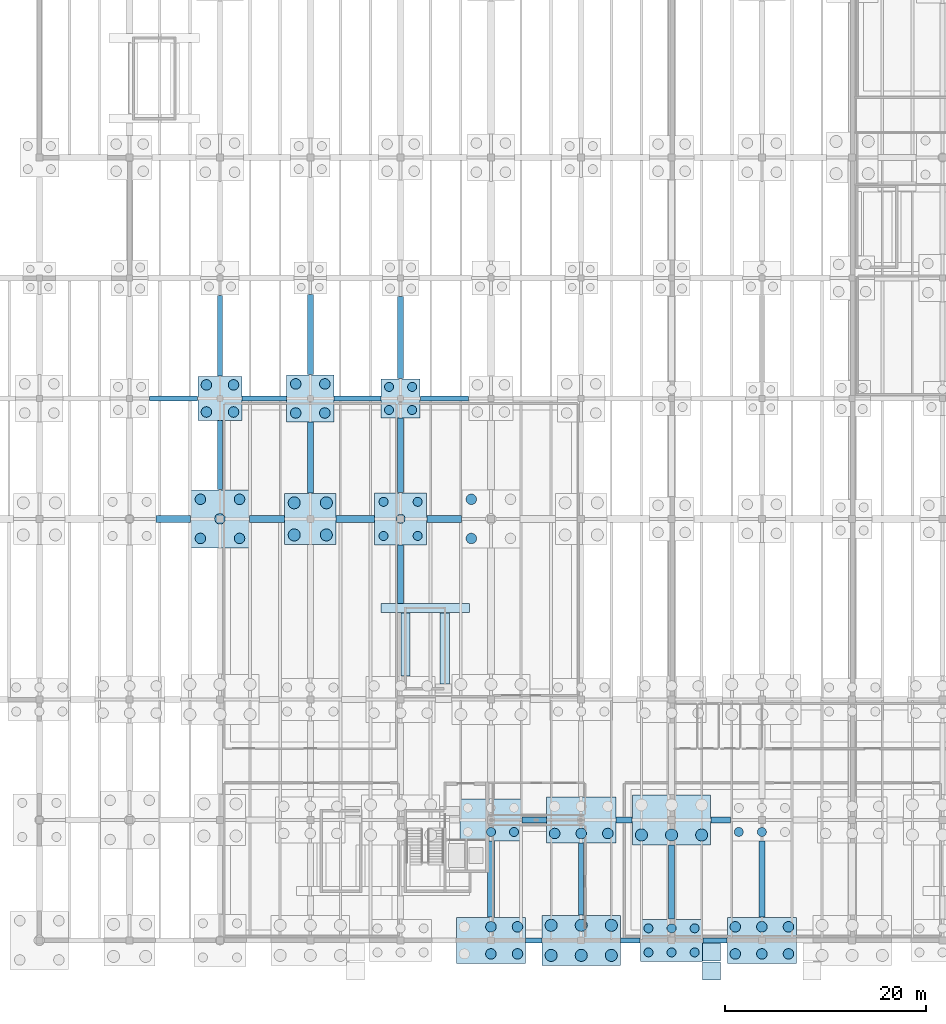
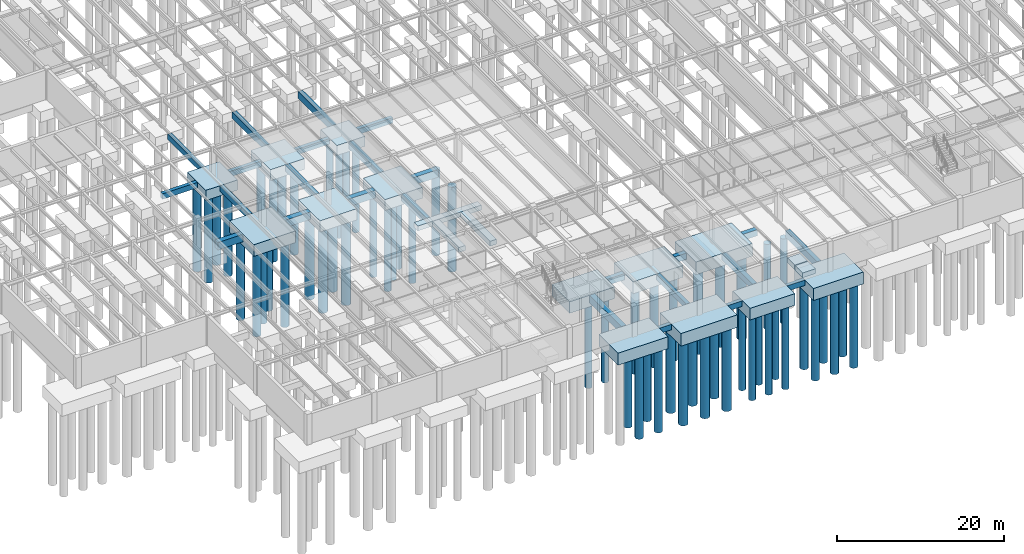
# One storey, part 3 of 40: 60 piles, 43 footings.
"""IFC4 building model written with IfcOpenShell, lengths in metres."""

from ifc_helpers import new_model, si_unit, direction, frame, origin, origin_2d, place, context, subcontext, project, spatial, polyline, rectangle, circle, outline, extrude, material, material_profile, profile_set, type_object, element, save


model = new_model("IFC4")

# Units and contexts
model_context = context("Model", 3, precision=1e-05, world=origin(), true_north=direction((0.0, 1.0)))
body_context = subcontext(model_context, "Body", "Model", "MODEL_VIEW")
ifc_project = project(units=[si_unit("LENGTHUNIT", "METRE"), si_unit("AREAUNIT", "SQUARE_METRE"), si_unit("VOLUMEUNIT", "CUBIC_METRE"), si_unit("PLANEANGLEUNIT", "RADIAN"), si_unit("MASSUNIT", "GRAM", prefix="KILO")], contexts=[model_context])

# Site, building, storey
site_placement = place(None, origin())
site = spatial("IfcSite", under=ifc_project, at=site_placement, CompositionType="ELEMENT")
building_placement = place(site_placement, origin())
building = spatial("IfcBuilding", under=site, at=building_placement, Name="Montelvaro Courts of Justice", CompositionType="ELEMENT")
storey_placement = place(building_placement, frame((0.0, 0.0, -4.5)))
storey = spatial("IfcBuildingStorey", under=building, at=storey_placement, Name="B01", CompositionType="ELEMENT", Elevation=-4.5)

# Piles
ifc_material = material(Name="Concrete C35/45", Category="concrete")
ifc_material_profile_1 = material_profile(ifc_material, circle(Radius=0.52490234375, at=origin_2d()), Name="BORED PILE D1050")
ifc_profile_set_1 = profile_set([ifc_material_profile_1], Name="Concrete C35/45")
pile_type_1 = type_object("IfcPileType", Name="BoredPile_1050", PredefinedType="BORED", material=ifc_profile_set_1)
for number, where, z_axis, x_axis, name in (
    (1, (34.050048828125, 40.050048828125, -1.60009765625), (0.0, 0.0, -1.0), (1.0, 0.0, 0.0), "Bored Pile BP-03 5/D-1"),
    (2, (37.949951171875, 40.050048828125, -1.60009765625), (0.0, 0.0, -1.0), (1.0, 0.0, 0.0), "Bored Pile BP-03 5/D-2"),
    (3, (36.0, 42.0, -1.60009765625), (0.0, 0.0, -1.0), (1.0, 0.0, 0.0), "Bored Pile BP-03 5/D-3"),
    (4, (34.050048828125, 43.949951171875, -1.60009765625), (0.0, 0.0, -1.0), (1.0, 0.0, 0.0), "Bored Pile BP-03 5/D-4"),
    (5, (37.949951171875, 43.949951171875, -1.60009765625), (0.0, 0.0, -1.0), (1.0, 0.0, 0.0), "Bored Pile BP-03 5/D-5"),
):
    element("IfcPile", number, at=place(storey_placement, frame(where, z_axis=z_axis, x_axis=x_axis)), inside=storey, type_object=pile_type_1, Name=name, PredefinedType="BORED", context=body_context, shape_type="SweptSolid", body=[
        extrude(circle(Radius=0.52490234375, at=origin_2d()), origin(), (0.0, 0.0, 1.0), 12.39990234375),
    ])
for number, where, z_axis, x_axis, name in (
    (6, (34.64990234375, 52.64990234375, -1.39990234375), (0.0, 0.0, -1.0), (1.0, 0.0, 0.0), "Bored Pile BP-03 5/E-1"),
    (7, (37.35009765625, 52.64990234375, -1.39990234375), (0.0, 0.0, -1.0), (1.0, 0.0, 0.0), "Bored Pile BP-03 5/E-2"),
    (8, (34.64990234375, 55.35009765625, -1.39990234375), (0.0, 0.0, -1.0), (1.0, 0.0, 0.0), "Bored Pile BP-03 5/E-3"),
    (9, (37.35009765625, 55.35009765625, -1.39990234375), (0.0, 0.0, -1.0), (1.0, 0.0, 0.0), "Bored Pile BP-03 5/E-4"),
):
    element("IfcPile", number, at=place(storey_placement, frame(where, z_axis=z_axis, x_axis=x_axis)), inside=storey, type_object=pile_type_1, Name=name, PredefinedType="BORED", context=body_context, shape_type="SweptSolid", body=[
        extrude(circle(Radius=0.52490234375, at=origin_2d()), origin(), (0.0, 0.0, 1.0), 12.60009765625),
    ])
for number, where, z_axis, x_axis, name in (
    (10, (43.550048828125, 52.550048828125, -1.5), (0.0, 0.0, -1.0), (1.0, 0.0, 0.0), "Bored Pile BP-03 6/E-1"),
    (11, (46.449951171875, 52.550048828125, -1.5), (0.0, 0.0, -1.0), (1.0, 0.0, 0.0), "Bored Pile BP-03 6/E-2"),
    (12, (43.550048828125, 55.449951171875, -1.5), (0.0, 0.0, -1.0), (1.0, 0.0, 0.0), "Bored Pile BP-03 6/E-3"),
    (13, (46.449951171875, 55.449951171875, -1.5), (0.0, 0.0, -1.0), (1.0, 0.0, 0.0), "Bored Pile BP-03 6/E-4"),
):
    element("IfcPile", number, at=place(storey_placement, frame(where, z_axis=z_axis, x_axis=x_axis)), inside=storey, type_object=pile_type_1, Name=name, PredefinedType="BORED", context=body_context, shape_type="SweptSolid", body=[
        extrude(circle(Radius=0.52490234375, at=origin_2d()), origin(), (0.0, 0.0, 1.0), 12.5),
    ])
for number, where, z_axis, x_axis, name in (
    (14, (63.0, -1.35009765625, -1.64990234375), (0.0, 0.0, -1.0), (1.0, 0.0, 0.0), "Bored Pile BP-03 8/A-2"),
    (15, (65.64990234375, -1.35009765625, -1.64990234375), (0.0, 0.0, -1.0), (1.0, 0.0, 0.0), "Bored Pile BP-03 8/A-3"),
    (16, (63.0, 1.35009765625, -1.64990234375), (0.0, 0.0, -1.0), (1.0, 0.0, 0.0), "Bored Pile BP-03 8/A-5"),
    (17, (65.64990234375, 1.35009765625, -1.64990234375), (0.0, 0.0, -1.0), (1.0, 0.0, 0.0), "Bored Pile BP-03 8/A-6"),
):
    element("IfcPile", number, at=place(storey_placement, frame(where, z_axis=z_axis, x_axis=x_axis)), inside=storey, type_object=pile_type_1, Name=name, PredefinedType="BORED", context=body_context, shape_type="SweptSolid", body=[
        extrude(circle(Radius=0.52490234375, at=origin_2d()), origin(), (0.0, 0.0, 1.0), 12.35009765625),
    ])
for number, where, z_axis, x_axis, name in (
    (18, (61.050048828125, 40.050048828125, -1.60009765625), (0.0, 0.0, -1.0), (1.0, 0.0, 0.0), "Bored Pile BP-03 8/D-1"),
    (19, (61.050048828125, 43.949951171875, -1.60009765625), (0.0, 0.0, -1.0), (1.0, 0.0, 0.0), "Bored Pile BP-03 8/D-4"),
):
    element("IfcPile", number, at=place(storey_placement, frame(where, z_axis=z_axis, x_axis=x_axis)), inside=storey, type_object=pile_type_1, Name=name, PredefinedType="BORED", context=body_context, shape_type="SweptSolid", body=[
        extrude(circle(Radius=0.52490234375, at=origin_2d()), origin(), (0.0, 0.0, 1.0), 12.39990234375),
    ])
for number, where, z_axis, x_axis, name in (
    (20, (69.35009765625, 10.64990234375, -1.64990234375), (0.0, 0.0, -1.0), (1.0, 0.0, 0.0), "Bored Pile BP-03 9/B-1"),
    (21, (72.0, 10.64990234375, -1.64990234375), (0.0, 0.0, -1.0), (1.0, 0.0, 0.0), "Bored Pile BP-03 9/B-2"),
    (22, (74.64990234375, 10.64990234375, -1.64990234375), (0.0, 0.0, -1.0), (1.0, 0.0, 0.0), "Bored Pile BP-03 9/B-3"),
    (23, (87.35009765625, -1.35009765625, -1.64990234375), (0.0, 0.0, -1.0), (1.0, 0.0, 0.0), "Bored Pile BP-03 11/A-1"),
    (24, (90.0, -1.35009765625, -1.64990234375), (0.0, 0.0, -1.0), (1.0, 0.0, 0.0), "Bored Pile BP-03 11/A-2"),
    (25, (92.64990234375, -1.35009765625, -1.64990234375), (0.0, 0.0, -1.0), (1.0, 0.0, 0.0), "Bored Pile BP-03 11/A-3"),
    (26, (87.35009765625, 1.35009765625, -1.64990234375), (0.0, 0.0, -1.0), (1.0, 0.0, 0.0), "Bored Pile BP-03 11/A-4"),
    (27, (90.0, 1.35009765625, -1.64990234375), (0.0, 0.0, -1.0), (1.0, 0.0, 0.0), "Bored Pile BP-03 11/A-5"),
    (28, (92.64990234375, 1.35009765625, -1.64990234375), (0.0, 0.0, -1.0), (1.0, 0.0, 0.0), "Bored Pile BP-03 11/A-6"),
):
    element("IfcPile", number, at=place(storey_placement, frame(where, z_axis=z_axis, x_axis=x_axis)), inside=storey, type_object=pile_type_1, Name=name, PredefinedType="BORED", context=body_context, shape_type="SweptSolid", body=[
        extrude(circle(Radius=0.52490234375, at=origin_2d()), origin(), (0.0, 0.0, 1.0), 12.35009765625),
    ])
ifc_material_profile_2 = material_profile(ifc_material, circle(Radius=0.60009765625, at=origin_2d()), Name="BORED PILE D1200")
ifc_profile_set_2 = profile_set([ifc_material_profile_2], Name="Concrete C35/45")
pile_type_2 = type_object("IfcPileType", Name="BoredPile_1200", PredefinedType="BORED", material=ifc_profile_set_2)
for number, where, z_axis, x_axis, name in (
    (29, (43.39990234375, 40.39990234375, -1.550048828125), (0.0, 0.0, -1.0), (1.0, 0.0, 0.0), "Bored Pile BP-04 6/D-1"),
    (30, (46.60009765625, 40.39990234375, -1.550048828125), (0.0, 0.0, -1.0), (1.0, 0.0, 0.0), "Bored Pile BP-04 6/D-2"),
    (31, (43.39990234375, 43.60009765625, -1.550048828125), (0.0, 0.0, -1.0), (1.0, 0.0, 0.0), "Bored Pile BP-04 6/D-3"),
    (32, (46.60009765625, 43.60009765625, -1.550048828125), (0.0, 0.0, -1.0), (1.0, 0.0, 0.0), "Bored Pile BP-04 6/D-4"),
):
    element("IfcPile", number, at=place(storey_placement, frame(where, z_axis=z_axis, x_axis=x_axis)), inside=storey, type_object=pile_type_2, Name=name, PredefinedType="BORED", context=body_context, shape_type="SweptSolid", body=[
        extrude(circle(Radius=0.60009765625, at=origin_2d()), origin(), (0.0, 0.0, 1.0), 12.449951171875),
    ])
for number, where, z_axis, x_axis, name in (
    (33, (69.0, -1.5, -1.75), (0.0, 0.0, -1.0), (1.0, 0.0, 0.0), "Bored Pile BP-04 9/A-1"),
    (34, (72.0, -1.5, -1.75), (0.0, 0.0, -1.0), (1.0, 0.0, 0.0), "Bored Pile BP-04 9/A-2"),
    (35, (75.0, -1.5, -1.75), (0.0, 0.0, -1.0), (1.0, 0.0, 0.0), "Bored Pile BP-04 9/A-3"),
    (36, (69.0, 1.5, -1.75), (0.0, 0.0, -1.0), (1.0, 0.0, 0.0), "Bored Pile BP-04 9/A-4"),
    (37, (72.0, 1.5, -1.75), (0.0, 0.0, -1.0), (1.0, 0.0, 0.0), "Bored Pile BP-04 9/A-5"),
    (38, (75.0, 1.5, -1.75), (0.0, 0.0, -1.0), (1.0, 0.0, 0.0), "Bored Pile BP-04 9/A-6"),
    (39, (78.0, 10.5, -1.75), (0.0, 0.0, -1.0), (1.0, 0.0, 0.0), "Bored Pile BP-04 10/B-1"),
    (40, (81.0, 10.5, -1.75), (0.0, 0.0, -1.0), (1.0, 0.0, 0.0), "Bored Pile BP-04 10/B-2"),
    (41, (84.0, 10.5, -1.75), (0.0, 0.0, -1.0), (1.0, 0.0, 0.0), "Bored Pile BP-04 10/B-3"),
):
    element("IfcPile", number, at=place(storey_placement, frame(where, z_axis=z_axis, x_axis=x_axis)), inside=storey, type_object=pile_type_2, Name=name, PredefinedType="BORED", context=body_context, shape_type="SweptSolid", body=[
        extrude(circle(Radius=0.60009765625, at=origin_2d()), origin(), (0.0, 0.0, 1.0), 12.25),
    ])
ifc_material_profile_3 = material_profile(ifc_material, circle(Radius=0.449951171875, at=origin_2d()), Name="BORED PILE D900")
ifc_profile_set_3 = profile_set([ifc_material_profile_3], Name="Concrete C35/45")
pile_type_3 = type_object("IfcPileType", Name="BoredPile_900", PredefinedType="BORED", material=ifc_profile_set_3)
for number, where, z_axis, x_axis, name in (
    (42, (52.300048828125, 40.300048828125, -1.5), (0.0, 0.0, -1.0), (1.0, 0.0, 0.0), "Bored Pile BP-02 7/D-1"),
    (43, (55.699951171875, 40.300048828125, -1.5), (0.0, 0.0, -1.0), (1.0, 0.0, 0.0), "Bored Pile BP-02 7/D-2"),
    (44, (54.0, 42.0, -1.5), (0.0, 0.0, -1.0), (1.0, 0.0, 0.0), "Bored Pile BP-02 7/D-3"),
    (45, (52.300048828125, 43.699951171875, -1.5), (0.0, 0.0, -1.0), (1.0, 0.0, 0.0), "Bored Pile BP-02 7/D-4"),
    (46, (55.699951171875, 43.699951171875, -1.5), (0.0, 0.0, -1.0), (1.0, 0.0, 0.0), "Bored Pile BP-02 7/D-5"),
):
    element("IfcPile", number, at=place(storey_placement, frame(where, z_axis=z_axis, x_axis=x_axis)), inside=storey, type_object=pile_type_3, Name=name, PredefinedType="BORED", context=body_context, shape_type="SweptSolid", body=[
        extrude(circle(Radius=0.449951171875, at=origin_2d()), origin(), (0.0, 0.0, 1.0), 12.5),
    ])
for number, where, z_axis, x_axis, name in (
    (47, (52.85009765625, 52.85009765625, -1.35009765625), (0.0, 0.0, -1.0), (1.0, 0.0, 0.0), "Bored Pile BP-02 7/E-1"),
    (48, (55.14990234375, 52.85009765625, -1.35009765625), (0.0, 0.0, -1.0), (1.0, 0.0, 0.0), "Bored Pile BP-02 7/E-2"),
    (49, (52.85009765625, 55.14990234375, -1.35009765625), (0.0, 0.0, -1.0), (1.0, 0.0, 0.0), "Bored Pile BP-02 7/E-3"),
    (50, (55.14990234375, 55.14990234375, -1.35009765625), (0.0, 0.0, -1.0), (1.0, 0.0, 0.0), "Bored Pile BP-02 7/E-4"),
):
    element("IfcPile", number, at=place(storey_placement, frame(where, z_axis=z_axis, x_axis=x_axis)), inside=storey, type_object=pile_type_3, Name=name, PredefinedType="BORED", context=body_context, shape_type="SweptSolid", body=[
        extrude(circle(Radius=0.449951171875, at=origin_2d()), origin(), (0.0, 0.0, 1.0), 12.64990234375),
    ])
for number, where, z_axis, x_axis, name in (
    (51, (63.0, 10.800048828125, -1.60009765625), (0.0, 0.0, -1.0), (1.0, 0.0, 0.0), "Bored Pile BP-02 8/B-2"),
    (52, (65.300048828125, 10.800048828125, -1.60009765625), (0.0, 0.0, -1.0), (1.0, 0.0, 0.0), "Bored Pile BP-02 8/B-3"),
    (53, (78.699951171875, -1.199951171875, -1.60009765625), (0.0, 0.0, -1.0), (1.0, 0.0, 0.0), "Bored Pile BP-02 10/A-1"),
    (54, (81.0, -1.199951171875, -1.60009765625), (0.0, 0.0, -1.0), (1.0, 0.0, 0.0), "Bored Pile BP-02 10/A-2"),
    (55, (83.300048828125, -1.199951171875, -1.60009765625), (0.0, 0.0, -1.0), (1.0, 0.0, 0.0), "Bored Pile BP-02 10/A-3"),
    (56, (78.699951171875, 1.199951171875, -1.60009765625), (0.0, 0.0, -1.0), (1.0, 0.0, 0.0), "Bored Pile BP-02 10/A-4"),
    (57, (81.0, 1.199951171875, -1.60009765625), (0.0, 0.0, -1.0), (1.0, 0.0, 0.0), "Bored Pile BP-02 10/A-5"),
    (58, (83.300048828125, 1.199951171875, -1.60009765625), (0.0, 0.0, -1.0), (1.0, 0.0, 0.0), "Bored Pile BP-02 10/A-6"),
    (59, (87.699951171875, 10.800048828125, -1.60009765625), (0.0, 0.0, -1.0), (1.0, 0.0, 0.0), "Bored Pile BP-02 11/B-1"),
    (60, (90.0, 10.800048828125, -1.60009765625), (0.0, 0.0, -1.0), (1.0, 0.0, 0.0), "Bored Pile BP-02 11/B-2"),
):
    element("IfcPile", number, at=place(storey_placement, frame(where, z_axis=z_axis, x_axis=x_axis)), inside=storey, type_object=pile_type_3, Name=name, PredefinedType="BORED", context=body_context, shape_type="SweptSolid", body=[
        extrude(circle(Radius=0.449951171875, at=origin_2d()), origin(), (0.0, 0.0, 1.0), 12.39990234375),
    ])

# Footings
footing_type_1 = type_object("IfcFootingType", Name="GroundBeam_500x800", PredefinedType="FOOTING_BEAM", material=ifc_material)
footing_1_placement = place(storey_placement, frame((0.0, 0.0, -0.800048828125)))
element("IfcFooting", 61, at=footing_1_placement, inside=storey, type_object=footing_type_1, Name="Foundation Ground Beam GB-01", PredefinedType="FOOTING_BEAM", context=body_context, shape_type="SweptSolid", body=[
    extrude(outline(polyline([(66.469970703125, -0.25), (68.080078125, -0.25), (68.080078125, 0.25), (66.469970703125, 0.25), (66.469970703125, -0.25)])), origin(), (0.0, 0.0, 1.0), 0.800048828125),
])
footing_2_placement = place(storey_placement, frame((0.0, 0.0, -0.800048828125)))
element("IfcFooting", 62, at=footing_2_placement, inside=storey, type_object=footing_type_1, Name="Foundation Ground Beam GB-01", PredefinedType="FOOTING_BEAM", context=body_context, shape_type="SweptSolid", body=[
    extrude(outline(polyline([(75.919921875, -0.25), (77.8798828125, -0.25), (77.8798828125, 0.25), (75.919921875, 0.25), (75.919921875, -0.25)])), origin(), (0.0, 0.0, 1.0), 0.800048828125),
])
footing_3_placement = place(storey_placement, frame((0.0, 0.0, -0.800048828125)))
element("IfcFooting", 63, at=footing_3_placement, inside=storey, type_object=footing_type_1, Name="Foundation Ground Beam GB-01", PredefinedType="FOOTING_BEAM", context=body_context, shape_type="SweptSolid", body=[
    extrude(outline(polyline([(84.1201171875, -0.25), (86.530029296875, -0.25), (86.530029296875, 0.25), (84.1201171875, 0.25), (84.1201171875, -0.25)])), origin(), (0.0, 0.0, 1.0), 0.800048828125),
])
footing_4_placement = place(storey_placement, frame((0.0, 0.0, -0.800048828125)))
element("IfcFooting", 64, at=footing_4_placement, inside=storey, type_object=footing_type_1, Name="Foundation Ground Beam GB-01", PredefinedType="FOOTING_BEAM", context=body_context, shape_type="SweptSolid", body=[
    extrude(outline(polyline([(28.969970703125, 53.75), (33.780029296875, 53.75), (33.780029296875, 54.25), (28.969970703125, 54.25), (28.969970703125, 53.75)])), origin(), (0.0, 0.0, 1.0), 0.800048828125),
])
footing_5_placement = place(storey_placement, frame((0.0, 0.0, -0.800048828125)))
element("IfcFooting", 65, at=footing_5_placement, inside=storey, type_object=footing_type_1, Name="Foundation Ground Beam GB-01", PredefinedType="FOOTING_BEAM", context=body_context, shape_type="SweptSolid", body=[
    extrude(outline(polyline([(38.219970703125, 53.75), (42.6298828125, 53.75), (42.6298828125, 54.25), (38.219970703125, 54.25), (38.219970703125, 53.75)])), origin(), (0.0, 0.0, 1.0), 0.800048828125),
])
footing_6_placement = place(storey_placement, frame((0.0, 0.0, -0.800048828125)))
element("IfcFooting", 66, at=footing_6_placement, inside=storey, type_object=footing_type_1, Name="Foundation Ground Beam GB-01", PredefinedType="FOOTING_BEAM", context=body_context, shape_type="SweptSolid", body=[
    extrude(outline(polyline([(47.3701171875, 53.75), (52.030029296875, 53.75), (52.030029296875, 54.25), (47.3701171875, 54.25), (47.3701171875, 53.75)])), origin(), (0.0, 0.0, 1.0), 0.800048828125),
])
footing_7_placement = place(storey_placement, frame((0.0, 0.0, -0.800048828125)))
element("IfcFooting", 67, at=footing_7_placement, inside=storey, type_object=footing_type_1, Name="Foundation Ground Beam GB-01", PredefinedType="FOOTING_BEAM", context=body_context, shape_type="SweptSolid", body=[
    extrude(outline(polyline([(55.969970703125, 53.75), (60.780029296875, 53.75), (60.780029296875, 54.25), (55.969970703125, 54.25), (55.969970703125, 53.75)])), origin(), (0.0, 0.0, 1.0), 0.800048828125),
])
footing_8_placement = place(storey_placement, frame((0.0, 0.0, -0.800048828125)))
element("IfcFooting", 68, at=footing_8_placement, inside=storey, type_object=footing_type_1, Name="Foundation Ground Beam GB-01", PredefinedType="FOOTING_BEAM", context=body_context, shape_type="SweptSolid", body=[
    extrude(outline(polyline([(35.75, 44.919921875), (36.25, 44.919921875), (36.25, 51.780029296875), (35.75, 51.780029296875), (35.75, 44.919921875)])), origin(), (0.0, 0.0, 1.0), 0.800048828125),
])
footing_9_placement = place(storey_placement, frame((0.0, 0.0, -0.800048828125)))
element("IfcFooting", 69, at=footing_9_placement, inside=storey, type_object=footing_type_1, Name="Foundation Ground Beam GB-01", PredefinedType="FOOTING_BEAM", context=body_context, shape_type="SweptSolid", body=[
    extrude(outline(polyline([(35.75, 56.219970703125), (36.25, 56.219970703125), (36.25, 64.280029296875), (35.75, 64.280029296875), (35.75, 56.219970703125)])), origin(), (0.0, 0.0, 1.0), 0.800048828125),
])
footing_10_placement = place(storey_placement, frame((0.0, 0.0, -0.800048828125)))
element("IfcFooting", 70, at=footing_10_placement, inside=storey, type_object=footing_type_1, Name="Foundation Ground Beam GB-01", PredefinedType="FOOTING_BEAM", context=body_context, shape_type="SweptSolid", body=[
    extrude(outline(polyline([(71.75, 2.52001953125), (72.25, 2.52001953125), (72.25, 9.679931640625), (71.75, 9.679931640625), (71.75, 2.52001953125)])), origin(), (0.0, 0.0, 1.0), 0.800048828125),
])
footing_type_2 = type_object("IfcFootingType", Name="GroundBeam_600x1000", PredefinedType="FOOTING_BEAM", material=ifc_material)
footing_11_placement = place(storey_placement, frame((0.0, 0.0, -1.0)))
element("IfcFooting", 71, at=footing_11_placement, inside=storey, type_object=footing_type_2, Name="Foundation Ground Beam GB-03", PredefinedType="FOOTING_BEAM", context=body_context, shape_type="SweptSolid", body=[
    extrude(outline(polyline([(53.699951171875, 33.570068359375), (54.300048828125, 33.570068359375), (54.300048828125, 39.3798828125), (53.699951171875, 39.3798828125), (53.699951171875, 33.570068359375)])), origin(), (0.0, 0.0, 1.0), 1.0),
])
footing_12_placement = place(storey_placement, frame((0.0, 0.0, -1.0)))
element("IfcFooting", 72, at=footing_12_placement, inside=storey, type_object=footing_type_2, Name="Foundation Ground Beam GB-03", PredefinedType="FOOTING_BEAM", context=body_context, shape_type="SweptSolid", body=[
    extrude(outline(polyline([(53.699951171875, 44.6201171875), (54.300048828125, 44.6201171875), (54.300048828125, 52.030029296875), (53.699951171875, 52.030029296875), (53.699951171875, 44.6201171875)])), origin(), (0.0, 0.0, 1.0), 1.0),
])
footing_13_placement = place(storey_placement, frame((0.0, 0.0, -1.0)))
element("IfcFooting", 73, at=footing_13_placement, inside=storey, type_object=footing_type_2, Name="Foundation Ground Beam GB-03", PredefinedType="FOOTING_BEAM", context=body_context, shape_type="SweptSolid", body=[
    extrude(outline(polyline([(53.699951171875, 55.969970703125), (54.300048828125, 55.969970703125), (54.300048828125, 64.179931640625), (53.699951171875, 64.179931640625), (53.699951171875, 55.969970703125)])), origin(), (0.0, 0.0, 1.0), 1.0),
])
footing_14_placement = place(storey_placement, frame((0.0, 0.0, -1.0)))
element("IfcFooting", 74, at=footing_14_placement, inside=storey, type_object=footing_type_2, Name="Foundation Ground Beam GB-03", PredefinedType="FOOTING_BEAM", context=body_context, shape_type="SweptSolid", body=[
    extrude(outline(polyline([(89.699951171875, 2.320068359375), (90.300048828125, 2.320068359375), (90.300048828125, 9.8798828125), (89.699951171875, 9.8798828125), (89.699951171875, 2.320068359375)])), origin(), (0.0, 0.0, 1.0), 1.0),
])
footing_type_3 = type_object("IfcFootingType", Name="GroundBeam_600x900", PredefinedType="FOOTING_BEAM", material=ifc_material)
footing_15_placement = place(storey_placement, frame((0.0, 0.0, -0.89990234375)))
element("IfcFooting", 75, at=footing_15_placement, inside=storey, type_object=footing_type_3, Name="Foundation Ground Beam GB-02", PredefinedType="FOOTING_BEAM", context=body_context, shape_type="SweptSolid", body=[
    extrude(outline(polyline([(66.1201171875, 11.699951171875), (68.530029296875, 11.699951171875), (68.530029296875, 12.300048828125), (66.1201171875, 12.300048828125), (66.1201171875, 11.699951171875)])), origin(), (0.0, 0.0, 1.0), 0.89990234375),
])
footing_16_placement = place(storey_placement, frame((0.0, 0.0, -0.89990234375)))
element("IfcFooting", 76, at=footing_16_placement, inside=storey, type_object=footing_type_3, Name="Foundation Ground Beam GB-02", PredefinedType="FOOTING_BEAM", context=body_context, shape_type="SweptSolid", body=[
    extrude(outline(polyline([(75.469970703125, 11.699951171875), (77.080078125, 11.699951171875), (77.080078125, 12.300048828125), (75.469970703125, 12.300048828125), (75.469970703125, 11.699951171875)])), origin(), (0.0, 0.0, 1.0), 0.89990234375),
])
footing_17_placement = place(storey_placement, frame((0.0, 0.0, -0.89990234375)))
element("IfcFooting", 77, at=footing_17_placement, inside=storey, type_object=footing_type_3, Name="Foundation Ground Beam GB-02", PredefinedType="FOOTING_BEAM", context=body_context, shape_type="SweptSolid", body=[
    extrude(outline(polyline([(84.919921875, 11.699951171875), (86.8798828125, 11.699951171875), (86.8798828125, 12.300048828125), (84.919921875, 12.300048828125), (84.919921875, 11.699951171875)])), origin(), (0.0, 0.0, 1.0), 0.89990234375),
])
footing_18_placement = place(storey_placement, frame((0.0, 0.0, -0.89990234375)))
element("IfcFooting", 78, at=footing_18_placement, inside=storey, type_object=footing_type_3, Name="Foundation Ground Beam GB-02", PredefinedType="FOOTING_BEAM", context=body_context, shape_type="SweptSolid", body=[
    extrude(outline(polyline([(44.699951171875, 44.570068359375), (45.300048828125, 44.570068359375), (45.300048828125, 51.6298828125), (44.699951171875, 51.6298828125), (44.699951171875, 44.570068359375)])), origin(), (0.0, 0.0, 1.0), 0.89990234375),
])
footing_19_placement = place(storey_placement, frame((0.0, 0.0, -0.89990234375)))
element("IfcFooting", 79, at=footing_19_placement, inside=storey, type_object=footing_type_3, Name="Foundation Ground Beam GB-02", PredefinedType="FOOTING_BEAM", context=body_context, shape_type="SweptSolid", body=[
    extrude(outline(polyline([(44.699951171875, 56.3701171875), (45.300048828125, 56.3701171875), (45.300048828125, 64.3798828125), (44.699951171875, 64.3798828125), (44.699951171875, 56.3701171875)])), origin(), (0.0, 0.0, 1.0), 0.89990234375),
])
footing_20_placement = place(storey_placement, frame((0.0, 0.0, -0.89990234375)))
element("IfcFooting", 80, at=footing_20_placement, inside=storey, type_object=footing_type_3, Name="Foundation Ground Beam GB-02", PredefinedType="FOOTING_BEAM", context=body_context, shape_type="SweptSolid", body=[
    extrude(outline(polyline([(80.699951171875, 2.1201171875), (81.300048828125, 2.1201171875), (81.300048828125, 9.47998046875), (80.699951171875, 9.47998046875), (80.699951171875, 2.1201171875)])), origin(), (0.0, 0.0, 1.0), 0.89990234375),
])
footing_type_4 = type_object("IfcFootingType", Name="GroundBeam_700x1100", PredefinedType="FOOTING_BEAM", material=ifc_material)
footing_21_placement = place(storey_placement, frame((0.0, 0.0, -1.10009765625)))
element("IfcFooting", 81, at=footing_21_placement, inside=storey, type_object=footing_type_4, Name="Foundation Ground Beam GB-04", PredefinedType="FOOTING_BEAM", context=body_context, shape_type="SweptSolid", body=[
    extrude(outline(polyline([(29.6201171875, 41.64990234375), (33.080078125, 41.64990234375), (33.080078125, 42.35009765625), (29.6201171875, 42.35009765625), (29.6201171875, 41.64990234375)])), origin(), (0.0, 0.0, 1.0), 1.10009765625),
])
footing_22_placement = place(storey_placement, frame((0.0, 0.0, -1.10009765625)))
element("IfcFooting", 82, at=footing_22_placement, inside=storey, type_object=footing_type_4, Name="Foundation Ground Beam GB-04", PredefinedType="FOOTING_BEAM", context=body_context, shape_type="SweptSolid", body=[
    extrude(outline(polyline([(38.919921875, 41.64990234375), (42.429931640625, 41.64990234375), (42.429931640625, 42.35009765625), (38.919921875, 42.35009765625), (38.919921875, 41.64990234375)])), origin(), (0.0, 0.0, 1.0), 1.10009765625),
])
footing_23_placement = place(storey_placement, frame((0.0, 0.0, -1.10009765625)))
element("IfcFooting", 83, at=footing_23_placement, inside=storey, type_object=footing_type_4, Name="Foundation Ground Beam GB-04", PredefinedType="FOOTING_BEAM", context=body_context, shape_type="SweptSolid", body=[
    extrude(outline(polyline([(47.570068359375, 41.64990234375), (51.3798828125, 41.64990234375), (51.3798828125, 42.35009765625), (47.570068359375, 42.35009765625), (47.570068359375, 41.64990234375)])), origin(), (0.0, 0.0, 1.0), 1.10009765625),
])
footing_24_placement = place(storey_placement, frame((0.0, 0.0, -1.10009765625)))
element("IfcFooting", 84, at=footing_24_placement, inside=storey, type_object=footing_type_4, Name="Foundation Ground Beam GB-04", PredefinedType="FOOTING_BEAM", context=body_context, shape_type="SweptSolid", body=[
    extrude(outline(polyline([(56.6201171875, 41.64990234375), (60.080078125, 41.64990234375), (60.080078125, 42.35009765625), (56.6201171875, 42.35009765625), (56.6201171875, 41.64990234375)])), origin(), (0.0, 0.0, 1.0), 1.10009765625),
])
footing_25_placement = place(storey_placement, frame((0.0, 0.0, -1.10009765625)))
element("IfcFooting", 85, at=footing_25_placement, inside=storey, type_object=footing_type_4, Name="Foundation Ground Beam GB-04", PredefinedType="FOOTING_BEAM", context=body_context, shape_type="SweptSolid", body=[
    extrude(outline(polyline([(62.64990234375, 2.320068359375), (63.35009765625, 2.320068359375), (63.35009765625, 9.8798828125), (62.64990234375, 9.8798828125), (62.64990234375, 2.320068359375)])), origin(), (0.0, 0.0, 1.0), 1.10009765625),
])
footing_type_5 = type_object("IfcFootingType", Name="PadFooting_180x180x70", PredefinedType="PAD_FOOTING", material=ifc_material)
for number, where, z_axis, x_axis, name in (
    (86, (85.0, -3.050048828125, 3.43017578125), (0.0, 0.0, 1.0), (1.0, 0.0, 0.0), "Accessible Ramp Toe Footing AR-02"),
    (87, (85.0, -1.14990234375, 3.43017578125), (0.0, 0.0, 1.0), (1.0, 0.0, 0.0), "Accessible Ramp Head Footing AR-02"),
):
    element("IfcFooting", number, at=place(storey_placement, frame(where, z_axis=z_axis, x_axis=x_axis)), inside=storey, type_object=footing_type_5, Name=name, PredefinedType="PAD_FOOTING", context=body_context, shape_type="SweptSolid", body=[
        extrude(rectangle(XDim=1.800048828125, YDim=1.800048828125, at=origin_2d()), origin(), (0.0, 0.0, 1.0), 0.699951171875),
    ])
footing_type_6 = type_object("IfcFootingType", Name="PileCap_4P_390x390x145", PredefinedType="PILE_CAP", material=ifc_material)
footing_26_placement = place(storey_placement, frame((54.0, 54.0, -1.4501953125), z_axis=(0.0, 0.0, 1.0), x_axis=(1.0, 0.0, 0.0)))
element("IfcFooting", 88, at=footing_26_placement, inside=storey, type_object=footing_type_6, Name="Pile Cap PC-10 at 7/E", PredefinedType="PILE_CAP", context=body_context, shape_type="SweptSolid", body=[
    extrude(rectangle(XDim=3.89990234375, YDim=3.89990234375, at=origin_2d()), origin(), (0.0, 0.0, 1.0), 1.449951171875),
])
footing_type_7 = type_object("IfcFootingType", Name="PileCap_4P_440x440x150", PredefinedType="PILE_CAP", material=ifc_material)
footing_27_placement = place(storey_placement, frame((36.0, 54.0, -1.5), z_axis=(0.0, 0.0, 1.0), x_axis=(1.0, 0.0, 0.0)))
element("IfcFooting", 89, at=footing_27_placement, inside=storey, type_object=footing_type_7, Name="Pile Cap PC-11 at 5/E", PredefinedType="PILE_CAP", context=body_context, shape_type="SweptSolid", body=[
    extrude(rectangle(XDim=4.39990234375, YDim=4.39990234375, at=origin_2d()), origin(), (0.0, 0.0, 1.0), 1.5),
])
footing_type_8 = type_object("IfcFootingType", Name="PileCap_4P_470x470x160", PredefinedType="PILE_CAP", material=ifc_material)
footing_28_placement = place(storey_placement, frame((45.0, 54.0, -1.60009765625), z_axis=(0.0, 0.0, 1.0), x_axis=(1.0, 0.0, 0.0)))
element("IfcFooting", 90, at=footing_28_placement, inside=storey, type_object=footing_type_8, Name="Pile Cap PC-12 at 6/E", PredefinedType="PILE_CAP", context=body_context, shape_type="SweptSolid", body=[
    extrude(rectangle(XDim=4.699951171875, YDim=4.699951171875, at=origin_2d()), origin(), (0.0, 0.0, 1.0), 1.60009765625),
])
footing_type_9 = type_object("IfcFootingType", Name="PileCap_4P_510x510x165", PredefinedType="PILE_CAP", material=ifc_material)
footing_29_placement = place(storey_placement, frame((45.0, 42.0, -1.64990234375), z_axis=(0.0, 0.0, 1.0), x_axis=(1.0, 0.0, 0.0)))
element("IfcFooting", 91, at=footing_29_placement, inside=storey, type_object=footing_type_9, Name="Pile Cap PC-13 at 6/D", PredefinedType="PILE_CAP", context=body_context, shape_type="SweptSolid", body=[
    extrude(rectangle(XDim=5.10009765625, YDim=5.10009765625, at=origin_2d()), origin(), (0.0, 0.0, 1.0), 1.64990234375),
])
footing_type_10 = type_object("IfcFootingType", Name="PileCap_5P_520x520x160", PredefinedType="PILE_CAP", material=ifc_material)
footing_30_placement = place(storey_placement, frame((54.0, 42.0, -1.60009765625), z_axis=(0.0, 0.0, 1.0), x_axis=(1.0, 0.0, 0.0)))
element("IfcFooting", 92, at=footing_30_placement, inside=storey, type_object=footing_type_10, Name="Pile Cap PC-14 at 7/D", PredefinedType="PILE_CAP", context=body_context, shape_type="SweptSolid", body=[
    extrude(rectangle(XDim=5.199951171875, YDim=5.199951171875, at=origin_2d()), origin(), (0.0, 0.0, 1.0), 1.60009765625),
])
footing_type_11 = type_object("IfcFootingType", Name="PileCap_5P_580x580x170", PredefinedType="PILE_CAP", material=ifc_material)
footing_31_placement = place(storey_placement, frame((36.0, 42.0, -1.7001953125), z_axis=(0.0, 0.0, 1.0), x_axis=(1.0, 0.0, 0.0)))
element("IfcFooting", 93, at=footing_31_placement, inside=storey, type_object=footing_type_11, Name="Pile Cap PC-15 at 5/D", PredefinedType="PILE_CAP", context=body_context, shape_type="SweptSolid", body=[
    extrude(rectangle(XDim=5.800048828125, YDim=5.800048828125, at=origin_2d()), origin(), (0.0, 0.0, 1.0), 1.699951171875),
])
footing_type_12 = type_object("IfcFootingType", Name="PileCap_6P_620x420x170", PredefinedType="PILE_CAP", material=ifc_material)
for number, where, z_axis, x_axis, name in (
    (94, (63.0, 12.0, -1.7001953125), (0.0, 0.0, 1.0), (1.0, 0.0, 0.0), "Pile Cap PC-16 at 8/B"),
    (95, (81.0, 0.0, -1.7001953125), (0.0, 0.0, 1.0), (1.0, 0.0, 0.0), "Pile Cap PC-16 at 10/A"),
):
    element("IfcFooting", number, at=place(storey_placement, frame(where, z_axis=z_axis, x_axis=x_axis)), inside=storey, type_object=footing_type_12, Name=name, PredefinedType="PILE_CAP", context=body_context, shape_type="SweptSolid", body=[
        extrude(rectangle(XDim=6.199951171875, YDim=4.199951171875, at=origin_2d()), origin(), (0.0, 0.0, 1.0), 1.699951171875),
    ])
footing_type_13 = type_object("IfcFootingType", Name="PileCap_6P_690x460x175", PredefinedType="PILE_CAP", material=ifc_material)
for number, where, z_axis, x_axis, name in (
    (96, (63.0, 0.0, -1.75), (0.0, 0.0, 1.0), (1.0, 0.0, 0.0), "Pile Cap PC-17 at 8/A"),
    (97, (72.0, 12.0, -1.75), (0.0, 0.0, 1.0), (1.0, 0.0, 0.0), "Pile Cap PC-17 at 9/B"),
    (98, (90.0, 0.0, -1.75), (0.0, 0.0, 1.0), (1.0, 0.0, 0.0), "Pile Cap PC-17 at 11/A"),
):
    element("IfcFooting", number, at=place(storey_placement, frame(where, z_axis=z_axis, x_axis=x_axis)), inside=storey, type_object=footing_type_13, Name=name, PredefinedType="PILE_CAP", context=body_context, shape_type="SweptSolid", body=[
        extrude(rectangle(XDim=6.89990234375, YDim=4.60009765625, at=origin_2d()), origin(), (0.0, 0.0, 1.0), 1.75),
    ])
footing_type_14 = type_object("IfcFootingType", Name="PileCap_6P_780x500x185", PredefinedType="PILE_CAP", material=ifc_material)
for number, where, z_axis, x_axis, name in (
    (99, (72.0, 0.0, -1.85009765625), (0.0, 0.0, 1.0), (1.0, 0.0, 0.0), "Pile Cap PC-18 at 9/A"),
    (100, (81.0, 12.0, -1.85009765625), (0.0, 0.0, 1.0), (1.0, 0.0, 0.0), "Pile Cap PC-18 at 10/B"),
):
    element("IfcFooting", number, at=place(storey_placement, frame(where, z_axis=z_axis, x_axis=x_axis)), inside=storey, type_object=footing_type_14, Name=name, PredefinedType="PILE_CAP", context=body_context, shape_type="SweptSolid", body=[
        extrude(rectangle(XDim=7.800048828125, YDim=5.0, at=origin_2d()), origin(), (0.0, 0.0, 1.0), 1.85009765625),
    ])
footing_type_15 = type_object("IfcFootingType", Name="StripFooting_900x700", PredefinedType="STRIP_FOOTING", material=ifc_material)
footing_32_placement = place(storey_placement, frame((0.0, 0.0, -0.699951171875)))
element("IfcFooting", 101, at=footing_32_placement, inside=storey, type_object=footing_type_15, Name="Stair and Plinth Strip Footing SFG-01-18", PredefinedType="STRIP_FOOTING", context=body_context, shape_type="SweptSolid", body=[
    extrude(outline(polyline([(52.050048828125, 32.64990234375), (60.85009765625, 32.64990234375), (60.85009765625, 33.550048828125), (52.050048828125, 33.550048828125), (52.050048828125, 32.64990234375)])), origin(), (0.0, 0.0, 1.0), 0.699951171875),
])
footing_33_placement = place(storey_placement, frame((0.0, 0.0, -0.699951171875)))
element("IfcFooting", 102, at=footing_33_placement, inside=storey, type_object=footing_type_15, Name="Stair and Plinth Strip Footing SFG-01-19", PredefinedType="STRIP_FOOTING", context=body_context, shape_type="SweptSolid", body=[
    extrude(outline(polyline([(54.050048828125, 26.320068359375), (54.949951171875, 26.320068359375), (54.949951171875, 32.6298828125), (54.050048828125, 32.6298828125), (54.050048828125, 26.320068359375)])), origin(), (0.0, 0.0, 1.0), 0.699951171875),
])
footing_34_placement = place(storey_placement, frame((0.0, 0.0, -0.699951171875)))
element("IfcFooting", 103, at=footing_34_placement, inside=storey, type_object=footing_type_15, Name="Stair and Plinth Strip Footing SFG-01-20", PredefinedType="STRIP_FOOTING", context=body_context, shape_type="SweptSolid", body=[
    extrude(outline(polyline([(57.949951171875, 25.570068359375), (58.85009765625, 25.570068359375), (58.85009765625, 32.6298828125), (57.949951171875, 32.6298828125), (57.949951171875, 25.570068359375)])), origin(), (0.0, 0.0, 1.0), 0.699951171875),
])

save(model, "model.ifc")
